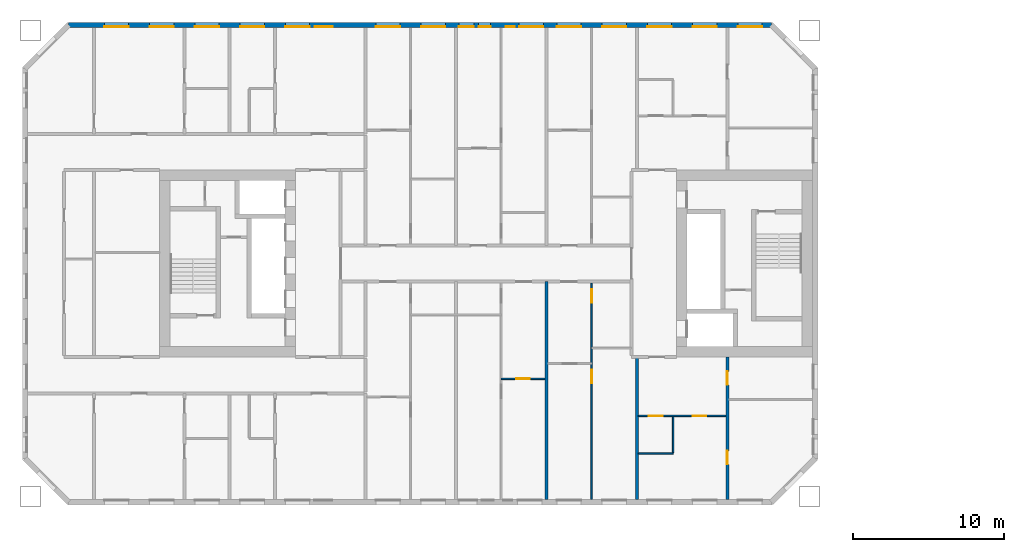
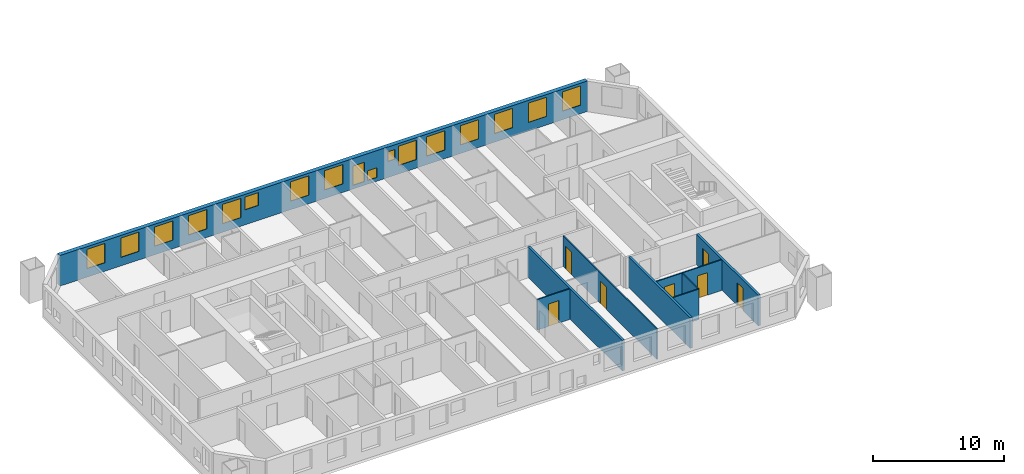
# One storey, part 6 of 17: 17 windows, 9 walls, 7 doors, 24 openings.
"""IFC4 building model written with IfcOpenShell, lengths in metres."""

from ifc_helpers import new_model, si_unit, direction, frame, frame_2d, origin, place, context, subcontext, project, spatial, rectangle, extrude, material, layer, layer_set, type_object, element, fill, save


model = new_model("IFC4")

# Units and contexts
model_context = context("Model", 3, precision=1e-05, world=origin(), true_north=direction((0.0, 1.0)))
body_context = subcontext(model_context, "Body", "Model", "MODEL_VIEW")
ifc_project = project(units=[si_unit("LENGTHUNIT", "METRE"), si_unit("AREAUNIT", "SQUARE_METRE"), si_unit("VOLUMEUNIT", "CUBIC_METRE"), si_unit("PLANEANGLEUNIT", "RADIAN"), si_unit("MASSUNIT", "GRAM", prefix="KILO")], contexts=[model_context])

# Site, building, storey
site_placement = place(None, origin())
site = spatial("IfcSite", under=ifc_project, at=site_placement, CompositionType="ELEMENT")
building_placement = place(site_placement, origin())
building = spatial("IfcBuilding", under=site, at=building_placement, Name="Tuart Gate Housing", CompositionType="ELEMENT")
storey_placement = place(building_placement, frame((0.0, 0.0, 84.0)))
storey = spatial("IfcBuildingStorey", under=building, at=storey_placement, Name="L23", CompositionType="ELEMENT", Elevation=84.0)

# Wall, openings, windows
ifc_material_1 = material(Name="Brick", Category="masonry")
ifc_layer_1 = layer(ifc_material_1, 0.360107421875)
ifc_layer_set_1 = layer_set([ifc_layer_1], Name="Brick pier and spandrel wall 360")
wall_type_1 = type_object("IfcWallType", Name="Brick pier and spandrel wall 360", PredefinedType="STANDARD", material=ifc_layer_set_1)
wall_1_placement = place(storey_placement, frame((72.92529296875, 85.820068359375, 0.0), z_axis=(0.0, 0.0, 1.0), x_axis=(-1.0, 0.0, 0.0)))
wall_1 = element("IfcWall", 1, at=wall_1_placement, inside=storey, type_object=wall_type_1, Name="External wall A-N L23", PredefinedType="STANDARD", context=body_context, shape_type="SweptSolid", body=[
    extrude(rectangle(XDim=46.600830078125, YDim=0.360107421875, at=frame_2d((23.30029296875, 0.0))), origin(), (0.0, 0.0, 1.0), 2.85009765625),
])
opening_1_placement = place(wall_1_placement, frame((0.62548828125, 0.0, 0.800048828125)))
opening_1 = element("IfcOpeningElement", 2, at=opening_1_placement, cuts=wall_1, Name="Opening W1", PredefinedType="OPENING", context=body_context, shape_type="SweptSolid", body=[
    extrude(rectangle(XDim=1.60009765625, YDim=1.800048828125, at=frame_2d((0.800048828125, 0.89990234375))), frame((0.0, 0.18994140625, 0.0), z_axis=(0.0, -1.0, 0.0), x_axis=(1.0, 0.0, 0.0)), (0.0, 0.0, 1.0), 0.380126953125),
])
opening_2_placement = place(wall_1_placement, frame((3.62548828125, 0.0, 0.800048828125)))
opening_2 = element("IfcOpeningElement", 3, at=opening_2_placement, cuts=wall_1, Name="Opening W1", PredefinedType="OPENING", context=body_context, shape_type="SweptSolid", body=[
    extrude(rectangle(XDim=1.60009765625, YDim=1.800048828125, at=frame_2d((0.800048828125, 0.89990234375))), frame((0.0, 0.18994140625, 0.0), z_axis=(0.0, -1.0, 0.0), x_axis=(1.0, 0.0, 0.0)), (0.0, 0.0, 1.0), 0.380126953125),
])
opening_3_placement = place(wall_1_placement, frame((6.62548828125, 0.0, 0.800048828125)))
opening_3 = element("IfcOpeningElement", 4, at=opening_3_placement, cuts=wall_1, Name="Opening W1", PredefinedType="OPENING", context=body_context, shape_type="SweptSolid", body=[
    extrude(rectangle(XDim=1.60009765625, YDim=1.800048828125, at=frame_2d((0.800048828125, 0.89990234375))), frame((0.0, 0.18994140625, 0.0), z_axis=(0.0, -1.0, 0.0), x_axis=(1.0, 0.0, 0.0)), (0.0, 0.0, 1.0), 0.380126953125),
])
opening_4_placement = place(wall_1_placement, frame((9.62548828125, 0.0, 0.800048828125)))
opening_4 = element("IfcOpeningElement", 5, at=opening_4_placement, cuts=wall_1, Name="Opening W1", PredefinedType="OPENING", context=body_context, shape_type="SweptSolid", body=[
    extrude(rectangle(XDim=1.60009765625, YDim=1.800048828125, at=frame_2d((0.800048828125, 0.89990234375))), frame((0.0, 0.18994140625, 0.0), z_axis=(0.0, -1.0, 0.0), x_axis=(1.0, 0.0, 0.0)), (0.0, 0.0, 1.0), 0.380126953125),
])
opening_5_placement = place(wall_1_placement, frame((12.62548828125, 0.0, 0.800048828125)))
opening_5 = element("IfcOpeningElement", 6, at=opening_5_placement, cuts=wall_1, Name="Opening W1", PredefinedType="OPENING", context=body_context, shape_type="SweptSolid", body=[
    extrude(rectangle(XDim=1.60009765625, YDim=1.800048828125, at=frame_2d((0.800048828125, 0.89990234375))), frame((0.0, 0.18994140625, 0.0), z_axis=(0.0, -1.0, 0.0), x_axis=(1.0, 0.0, 0.0)), (0.0, 0.0, 1.0), 0.380126953125),
])
opening_6_placement = place(wall_1_placement, frame((15.12548828125, 0.0, 0.800048828125)))
opening_6 = element("IfcOpeningElement", 7, at=opening_6_placement, cuts=wall_1, Name="Opening W1", PredefinedType="OPENING", context=body_context, shape_type="SweptSolid", body=[
    extrude(rectangle(XDim=1.60009765625, YDim=1.800048828125, at=frame_2d((0.800048828125, 0.89990234375))), frame((0.0, 0.18994140625, 0.0), z_axis=(0.0, -1.0, 0.0), x_axis=(1.0, 0.0, 0.0)), (0.0, 0.0, 1.0), 0.380126953125),
])
opening_7_placement = place(wall_1_placement, frame((18.62548828125, 0.0, 0.35009765625)))
opening_7 = element("IfcOpeningElement", 8, at=opening_7_placement, cuts=wall_1, Name="Opening W1V", PredefinedType="OPENING", context=body_context, shape_type="SweptSolid", body=[
    extrude(rectangle(XDim=0.800048828125, YDim=0.89990234375, at=frame_2d((0.39990234375, 0.449951171875))), frame((0.0, 0.18994140625, 0.0), z_axis=(0.0, -1.0, 0.0), x_axis=(1.0, 0.0, 0.0)), (0.0, 0.0, 1.0), 0.380126953125),
])
opening_8_placement = place(wall_1_placement, frame((21.62548828125, 0.0, 0.800048828125)))
opening_8 = element("IfcOpeningElement", 9, at=opening_8_placement, cuts=wall_1, Name="Opening W1", PredefinedType="OPENING", context=body_context, shape_type="SweptSolid", body=[
    extrude(rectangle(XDim=1.60009765625, YDim=1.800048828125, at=frame_2d((0.800048828125, 0.89990234375))), frame((0.0, 0.18994140625, 0.0), z_axis=(0.0, -1.0, 0.0), x_axis=(1.0, 0.0, 0.0)), (0.0, 0.0, 1.0), 0.380126953125),
])
opening_9_placement = place(wall_1_placement, frame((24.62548828125, 0.0, 0.800048828125)))
opening_9 = element("IfcOpeningElement", 10, at=opening_9_placement, cuts=wall_1, Name="Opening W1", PredefinedType="OPENING", context=body_context, shape_type="SweptSolid", body=[
    extrude(rectangle(XDim=1.60009765625, YDim=1.800048828125, at=frame_2d((0.800048828125, 0.89990234375))), frame((0.0, 0.18994140625, 0.0), z_axis=(0.0, -1.0, 0.0), x_axis=(1.0, 0.0, 0.0)), (0.0, 0.0, 1.0), 0.380126953125),
])
opening_10_placement = place(wall_1_placement, frame((29.075439453125, 0.0, 1.39990234375)))
opening_10 = element("IfcOpeningElement", 11, at=opening_10_placement, cuts=wall_1, Name="Opening W1N", PredefinedType="OPENING", context=body_context, shape_type="SweptSolid", body=[
    extrude(rectangle(XDim=1.199951171875, YDim=1.199951171875, at=frame_2d((0.60009765625, 0.60009765625))), frame((0.0, 0.18994140625, 0.0), z_axis=(0.0, -1.0, 0.0), x_axis=(1.0, 0.0, 0.0)), (0.0, 0.0, 1.0), 0.380126953125),
])
opening_11_placement = place(wall_1_placement, frame((30.62548828125, 0.0, 0.800048828125)))
opening_11 = element("IfcOpeningElement", 12, at=opening_11_placement, cuts=wall_1, Name="Opening W1", PredefinedType="OPENING", context=body_context, shape_type="SweptSolid", body=[
    extrude(rectangle(XDim=1.60009765625, YDim=1.800048828125, at=frame_2d((0.800048828125, 0.89990234375))), frame((0.0, 0.18994140625, 0.0), z_axis=(0.0, -1.0, 0.0), x_axis=(1.0, 0.0, 0.0)), (0.0, 0.0, 1.0), 0.380126953125),
])
opening_12_placement = place(wall_1_placement, frame((33.62548828125, 0.0, 0.800048828125)))
opening_12 = element("IfcOpeningElement", 13, at=opening_12_placement, cuts=wall_1, Name="Opening W1", PredefinedType="OPENING", context=body_context, shape_type="SweptSolid", body=[
    extrude(rectangle(XDim=1.60009765625, YDim=1.800048828125, at=frame_2d((0.800048828125, 0.89990234375))), frame((0.0, 0.18994140625, 0.0), z_axis=(0.0, -1.0, 0.0), x_axis=(1.0, 0.0, 0.0)), (0.0, 0.0, 1.0), 0.380126953125),
])
opening_13_placement = place(wall_1_placement, frame((36.62548828125, 0.0, 0.800048828125)))
opening_13 = element("IfcOpeningElement", 14, at=opening_13_placement, cuts=wall_1, Name="Opening W1", PredefinedType="OPENING", context=body_context, shape_type="SweptSolid", body=[
    extrude(rectangle(XDim=1.60009765625, YDim=1.800048828125, at=frame_2d((0.800048828125, 0.89990234375))), frame((0.0, 0.18994140625, 0.0), z_axis=(0.0, -1.0, 0.0), x_axis=(1.0, 0.0, 0.0)), (0.0, 0.0, 1.0), 0.380126953125),
])
opening_14_placement = place(wall_1_placement, frame((39.62548828125, 0.0, 0.800048828125)))
opening_14 = element("IfcOpeningElement", 15, at=opening_14_placement, cuts=wall_1, Name="Opening W1", PredefinedType="OPENING", context=body_context, shape_type="SweptSolid", body=[
    extrude(rectangle(XDim=1.60009765625, YDim=1.800048828125, at=frame_2d((0.800048828125, 0.89990234375))), frame((0.0, 0.18994140625, 0.0), z_axis=(0.0, -1.0, 0.0), x_axis=(1.0, 0.0, 0.0)), (0.0, 0.0, 1.0), 0.380126953125),
])
opening_15_placement = place(wall_1_placement, frame((42.62548828125, 0.0, 0.800048828125)))
opening_15 = element("IfcOpeningElement", 16, at=opening_15_placement, cuts=wall_1, Name="Opening W1", PredefinedType="OPENING", context=body_context, shape_type="SweptSolid", body=[
    extrude(rectangle(XDim=1.60009765625, YDim=1.800048828125, at=frame_2d((0.800048828125, 0.89990234375))), frame((0.0, 0.18994140625, 0.0), z_axis=(0.0, -1.0, 0.0), x_axis=(1.0, 0.0, 0.0)), (0.0, 0.0, 1.0), 0.380126953125),
])
opening_16_placement = place(wall_1_placement, frame((17.025390625, 0.0, 1.5)))
opening_16 = element("IfcOpeningElement", 17, at=opening_16_placement, cuts=wall_1, Name="Opening W1W", PredefinedType="OPENING", context=body_context, shape_type="SweptSolid", body=[
    extrude(rectangle(XDim=0.60009765625, YDim=0.89990234375, at=frame_2d((0.300048828125, 0.449951171875))), frame((0.0, 0.18994140625, 0.0), z_axis=(0.0, -1.0, 0.0), x_axis=(1.0, 0.0, 0.0)), (0.0, 0.0, 1.0), 0.380126953125),
])
opening_17_placement = place(wall_1_placement, frame((19.725341796875, 0.0, 0.35009765625)))
opening_17 = element("IfcOpeningElement", 18, at=opening_17_placement, cuts=wall_1, Name="Opening W1C", PredefinedType="OPENING", context=body_context, shape_type="SweptSolid", body=[
    extrude(rectangle(XDim=1.0, YDim=1.800048828125, at=frame_2d((0.5, 0.89990234375))), frame((0.0, 0.18994140625, 0.0), z_axis=(0.0, -1.0, 0.0), x_axis=(1.0, 0.0, 0.0)), (0.0, 0.0, 1.0), 0.380126953125),
])
ifc_material_2 = material(Name="Aluminium frame with clear glass", Category="aluminium")
window_type_1 = type_object("IfcWindowType", Name="Punched window 1000 x 1800", PartitioningType="SINGLE_PANEL", PredefinedType="WINDOW", material=ifc_material_2)
window_1_placement = place(opening_17_placement, origin())
window_1 = element("IfcWindow", 19, at=window_1_placement, inside=storey, type_object=window_type_1, Name="Window W1C", OverallHeight=1.800048828125, OverallWidth=1.0, PartitioningType="SINGLE_PANEL", PredefinedType="WINDOW", context=body_context, shape_type="SweptSolid", body=[
    extrude(rectangle(XDim=1.0, YDim=1.800048828125, at=frame_2d((0.5, 0.89990234375))), frame((0.0, 0.150146484375, 0.0), z_axis=(0.0, -1.0, 0.0), x_axis=(1.0, 0.0, 0.0)), (0.0, 0.0, 1.0), 0.06005859375),
])
fill(opening_17, window_1)
ifc_material_3 = material(Name="Aluminium frame with clear glass", Category="aluminium")
window_type_2 = type_object("IfcWindowType", Name="Punched window 1200 x 1200", PartitioningType="SINGLE_PANEL", PredefinedType="WINDOW", material=ifc_material_3)
window_2_placement = place(opening_10_placement, origin())
window_2 = element("IfcWindow", 20, at=window_2_placement, inside=storey, type_object=window_type_2, Name="Window W1N", OverallHeight=1.199951171875, OverallWidth=1.199951171875, PartitioningType="SINGLE_PANEL", PredefinedType="WINDOW", context=body_context, shape_type="SweptSolid", body=[
    extrude(rectangle(XDim=1.199951171875, YDim=1.199951171875, at=frame_2d((0.60009765625, 0.60009765625))), frame((0.0, 0.150146484375, 0.0), z_axis=(0.0, -1.0, 0.0), x_axis=(1.0, 0.0, 0.0)), (0.0, 0.0, 1.0), 0.06005859375),
])
fill(opening_10, window_2)
ifc_material_4 = material(Name="Aluminium frame with clear glass", Category="aluminium")
window_type_3 = type_object("IfcWindowType", Name="Punched window 1600 x 1800", PartitioningType="SINGLE_PANEL", PredefinedType="WINDOW", material=ifc_material_4)
window_3_placement = place(opening_1_placement, origin())
window_3 = element("IfcWindow", 21, at=window_3_placement, inside=storey, type_object=window_type_3, Name="Window W1", OverallHeight=1.800048828125, OverallWidth=1.60009765625, PartitioningType="SINGLE_PANEL", PredefinedType="WINDOW", context=body_context, shape_type="SweptSolid", body=[
    extrude(rectangle(XDim=1.60009765625, YDim=1.800048828125, at=frame_2d((0.800048828125, 0.89990234375))), frame((0.0, 0.150146484375, 0.0), z_axis=(0.0, -1.0, 0.0), x_axis=(1.0, 0.0, 0.0)), (0.0, 0.0, 1.0), 0.06005859375),
])
fill(opening_1, window_3)
window_4_placement = place(opening_2_placement, origin())
window_4 = element("IfcWindow", 22, at=window_4_placement, inside=storey, type_object=window_type_3, Name="Window W1", OverallHeight=1.800048828125, OverallWidth=1.60009765625, PartitioningType="SINGLE_PANEL", PredefinedType="WINDOW", context=body_context, shape_type="SweptSolid", body=[
    extrude(rectangle(XDim=1.60009765625, YDim=1.800048828125, at=frame_2d((0.800048828125, 0.89990234375))), frame((0.0, 0.150146484375, 0.0), z_axis=(0.0, -1.0, 0.0), x_axis=(1.0, 0.0, 0.0)), (0.0, 0.0, 1.0), 0.06005859375),
])
fill(opening_2, window_4)
window_5_placement = place(opening_3_placement, origin())
window_5 = element("IfcWindow", 23, at=window_5_placement, inside=storey, type_object=window_type_3, Name="Window W1", OverallHeight=1.800048828125, OverallWidth=1.60009765625, PartitioningType="SINGLE_PANEL", PredefinedType="WINDOW", context=body_context, shape_type="SweptSolid", body=[
    extrude(rectangle(XDim=1.60009765625, YDim=1.800048828125, at=frame_2d((0.800048828125, 0.89990234375))), frame((0.0, 0.150146484375, 0.0), z_axis=(0.0, -1.0, 0.0), x_axis=(1.0, 0.0, 0.0)), (0.0, 0.0, 1.0), 0.06005859375),
])
fill(opening_3, window_5)
window_6_placement = place(opening_4_placement, origin())
window_6 = element("IfcWindow", 24, at=window_6_placement, inside=storey, type_object=window_type_3, Name="Window W1", OverallHeight=1.800048828125, OverallWidth=1.60009765625, PartitioningType="SINGLE_PANEL", PredefinedType="WINDOW", context=body_context, shape_type="SweptSolid", body=[
    extrude(rectangle(XDim=1.60009765625, YDim=1.800048828125, at=frame_2d((0.800048828125, 0.89990234375))), frame((0.0, 0.150146484375, 0.0), z_axis=(0.0, -1.0, 0.0), x_axis=(1.0, 0.0, 0.0)), (0.0, 0.0, 1.0), 0.06005859375),
])
fill(opening_4, window_6)
window_7_placement = place(opening_5_placement, origin())
window_7 = element("IfcWindow", 25, at=window_7_placement, inside=storey, type_object=window_type_3, Name="Window W1", OverallHeight=1.800048828125, OverallWidth=1.60009765625, PartitioningType="SINGLE_PANEL", PredefinedType="WINDOW", context=body_context, shape_type="SweptSolid", body=[
    extrude(rectangle(XDim=1.60009765625, YDim=1.800048828125, at=frame_2d((0.800048828125, 0.89990234375))), frame((0.0, 0.150146484375, 0.0), z_axis=(0.0, -1.0, 0.0), x_axis=(1.0, 0.0, 0.0)), (0.0, 0.0, 1.0), 0.06005859375),
])
fill(opening_5, window_7)
window_8_placement = place(opening_6_placement, origin())
window_8 = element("IfcWindow", 26, at=window_8_placement, inside=storey, type_object=window_type_3, Name="Window W1", OverallHeight=1.800048828125, OverallWidth=1.60009765625, PartitioningType="SINGLE_PANEL", PredefinedType="WINDOW", context=body_context, shape_type="SweptSolid", body=[
    extrude(rectangle(XDim=1.60009765625, YDim=1.800048828125, at=frame_2d((0.800048828125, 0.89990234375))), frame((0.0, 0.150146484375, 0.0), z_axis=(0.0, -1.0, 0.0), x_axis=(1.0, 0.0, 0.0)), (0.0, 0.0, 1.0), 0.06005859375),
])
fill(opening_6, window_8)
window_9_placement = place(opening_8_placement, origin())
window_9 = element("IfcWindow", 27, at=window_9_placement, inside=storey, type_object=window_type_3, Name="Window W1", OverallHeight=1.800048828125, OverallWidth=1.60009765625, PartitioningType="SINGLE_PANEL", PredefinedType="WINDOW", context=body_context, shape_type="SweptSolid", body=[
    extrude(rectangle(XDim=1.60009765625, YDim=1.800048828125, at=frame_2d((0.800048828125, 0.89990234375))), frame((0.0, 0.150146484375, 0.0), z_axis=(0.0, -1.0, 0.0), x_axis=(1.0, 0.0, 0.0)), (0.0, 0.0, 1.0), 0.06005859375),
])
fill(opening_8, window_9)
window_10_placement = place(opening_9_placement, origin())
window_10 = element("IfcWindow", 28, at=window_10_placement, inside=storey, type_object=window_type_3, Name="Window W1", OverallHeight=1.800048828125, OverallWidth=1.60009765625, PartitioningType="SINGLE_PANEL", PredefinedType="WINDOW", context=body_context, shape_type="SweptSolid", body=[
    extrude(rectangle(XDim=1.60009765625, YDim=1.800048828125, at=frame_2d((0.800048828125, 0.89990234375))), frame((0.0, 0.150146484375, 0.0), z_axis=(0.0, -1.0, 0.0), x_axis=(1.0, 0.0, 0.0)), (0.0, 0.0, 1.0), 0.06005859375),
])
fill(opening_9, window_10)
window_11_placement = place(opening_11_placement, origin())
window_11 = element("IfcWindow", 29, at=window_11_placement, inside=storey, type_object=window_type_3, Name="Window W1", OverallHeight=1.800048828125, OverallWidth=1.60009765625, PartitioningType="SINGLE_PANEL", PredefinedType="WINDOW", context=body_context, shape_type="SweptSolid", body=[
    extrude(rectangle(XDim=1.60009765625, YDim=1.800048828125, at=frame_2d((0.800048828125, 0.89990234375))), frame((0.0, 0.150146484375, 0.0), z_axis=(0.0, -1.0, 0.0), x_axis=(1.0, 0.0, 0.0)), (0.0, 0.0, 1.0), 0.06005859375),
])
fill(opening_11, window_11)
window_12_placement = place(opening_12_placement, origin())
window_12 = element("IfcWindow", 30, at=window_12_placement, inside=storey, type_object=window_type_3, Name="Window W1", OverallHeight=1.800048828125, OverallWidth=1.60009765625, PartitioningType="SINGLE_PANEL", PredefinedType="WINDOW", context=body_context, shape_type="SweptSolid", body=[
    extrude(rectangle(XDim=1.60009765625, YDim=1.800048828125, at=frame_2d((0.800048828125, 0.89990234375))), frame((0.0, 0.150146484375, 0.0), z_axis=(0.0, -1.0, 0.0), x_axis=(1.0, 0.0, 0.0)), (0.0, 0.0, 1.0), 0.06005859375),
])
fill(opening_12, window_12)
window_13_placement = place(opening_13_placement, origin())
window_13 = element("IfcWindow", 31, at=window_13_placement, inside=storey, type_object=window_type_3, Name="Window W1", OverallHeight=1.800048828125, OverallWidth=1.60009765625, PartitioningType="SINGLE_PANEL", PredefinedType="WINDOW", context=body_context, shape_type="SweptSolid", body=[
    extrude(rectangle(XDim=1.60009765625, YDim=1.800048828125, at=frame_2d((0.800048828125, 0.89990234375))), frame((0.0, 0.150146484375, 0.0), z_axis=(0.0, -1.0, 0.0), x_axis=(1.0, 0.0, 0.0)), (0.0, 0.0, 1.0), 0.06005859375),
])
fill(opening_13, window_13)
window_14_placement = place(opening_14_placement, origin())
window_14 = element("IfcWindow", 32, at=window_14_placement, inside=storey, type_object=window_type_3, Name="Window W1", OverallHeight=1.800048828125, OverallWidth=1.60009765625, PartitioningType="SINGLE_PANEL", PredefinedType="WINDOW", context=body_context, shape_type="SweptSolid", body=[
    extrude(rectangle(XDim=1.60009765625, YDim=1.800048828125, at=frame_2d((0.800048828125, 0.89990234375))), frame((0.0, 0.150146484375, 0.0), z_axis=(0.0, -1.0, 0.0), x_axis=(1.0, 0.0, 0.0)), (0.0, 0.0, 1.0), 0.06005859375),
])
fill(opening_14, window_14)
window_15_placement = place(opening_15_placement, origin())
window_15 = element("IfcWindow", 33, at=window_15_placement, inside=storey, type_object=window_type_3, Name="Window W1", OverallHeight=1.800048828125, OverallWidth=1.60009765625, PartitioningType="SINGLE_PANEL", PredefinedType="WINDOW", context=body_context, shape_type="SweptSolid", body=[
    extrude(rectangle(XDim=1.60009765625, YDim=1.800048828125, at=frame_2d((0.800048828125, 0.89990234375))), frame((0.0, 0.150146484375, 0.0), z_axis=(0.0, -1.0, 0.0), x_axis=(1.0, 0.0, 0.0)), (0.0, 0.0, 1.0), 0.06005859375),
])
fill(opening_15, window_15)
ifc_material_5 = material(Name="Aluminium frame with clear glass", Category="aluminium")
window_type_4 = type_object("IfcWindowType", Name="Punched window 600 x 900", PartitioningType="SINGLE_PANEL", PredefinedType="WINDOW", material=ifc_material_5)
window_16_placement = place(opening_16_placement, origin())
window_16 = element("IfcWindow", 34, at=window_16_placement, inside=storey, type_object=window_type_4, Name="Window W1W", OverallHeight=0.89990234375, OverallWidth=0.60009765625, PartitioningType="SINGLE_PANEL", PredefinedType="WINDOW", context=body_context, shape_type="SweptSolid", body=[
    extrude(rectangle(XDim=0.60009765625, YDim=0.89990234375, at=frame_2d((0.300048828125, 0.449951171875))), frame((0.0, 0.150146484375, 0.0), z_axis=(0.0, -1.0, 0.0), x_axis=(1.0, 0.0, 0.0)), (0.0, 0.0, 1.0), 0.06005859375),
])
fill(opening_16, window_16)
ifc_material_6 = material(Name="Aluminium frame with clear glass", Category="aluminium")
window_type_5 = type_object("IfcWindowType", Name="Punched window 800 x 900", PartitioningType="SINGLE_PANEL", PredefinedType="WINDOW", material=ifc_material_6)
window_17_placement = place(opening_7_placement, origin())
window_17 = element("IfcWindow", 35, at=window_17_placement, inside=storey, type_object=window_type_5, Name="Window W1V", OverallHeight=0.89990234375, OverallWidth=0.800048828125, PartitioningType="SINGLE_PANEL", PredefinedType="WINDOW", context=body_context, shape_type="SweptSolid", body=[
    extrude(rectangle(XDim=0.800048828125, YDim=0.89990234375, at=frame_2d((0.39990234375, 0.449951171875))), frame((0.0, 0.150146484375, 0.0), z_axis=(0.0, -1.0, 0.0), x_axis=(1.0, 0.0, 0.0)), (0.0, 0.0, 1.0), 0.06005859375),
])
fill(opening_7, window_17)

# Wall
ifc_material_7 = material(Name="Gypsum board on steel studs", Category="steel")
ifc_layer_2 = layer(ifc_material_7, 0.10009765625)
ifc_layer_set_2 = layer_set([ifc_layer_2], Name="Partition 100")
wall_type_2 = type_object("IfcWallType", Name="Partition 100", PredefinedType="PARTITIONING", material=ifc_layer_set_2)
wall_2_placement = place(storey_placement, frame((64.10009765625, 57.39990234375, 0.0), z_axis=(0.0, 0.0, 1.0), x_axis=(1.0, 0.0, 0.0)))
element("IfcWall", 36, at=wall_2_placement, inside=storey, type_object=wall_type_2, Name="Partition 100", PredefinedType="PARTITIONING", context=body_context, shape_type="SweptSolid", body=[
    extrude(rectangle(XDim=2.2998046875, YDim=0.10009765625, at=frame_2d((1.14990234375, 0.0))), origin(), (0.0, 0.0, 1.0), 2.85009765625),
])

# Wall, openings, doors
wall_3_placement = place(storey_placement, frame((64.10009765625, 59.89990234375, 0.0), z_axis=(0.0, 0.0, 1.0), x_axis=(1.0, 0.0, 0.0)))
wall_3 = element("IfcWall", 37, at=wall_3_placement, inside=storey, type_object=wall_type_2, Name="Partition 100", PredefinedType="PARTITIONING", context=body_context, shape_type="SweptSolid", body=[
    extrude(rectangle(XDim=5.7998046875, YDim=0.10009765625, at=frame_2d((2.89990234375, 0.0))), origin(), (0.0, 0.0, 1.0), 2.85009765625),
])
opening_18_placement = place(wall_3_placement, frame((3.60009765625, 0.0, 0.0)))
opening_18 = element("IfcOpeningElement", 38, at=opening_18_placement, cuts=wall_3, Name="Opening D1005", PredefinedType="OPENING", context=body_context, shape_type="SweptSolid", body=[
    extrude(rectangle(XDim=0.89990234375, YDim=2.10009765625, at=frame_2d((0.449951171875, 1.050048828125))), frame((0.0, 0.06005859375, 0.0), z_axis=(0.0, -1.0, 0.0), x_axis=(1.0, 0.0, 0.0)), (0.0, 0.0, 1.0), 0.1201171875),
])
opening_19_placement = place(wall_3_placement, frame((0.699951171875, 0.0, 0.0)))
opening_19 = element("IfcOpeningElement", 39, at=opening_19_placement, cuts=wall_3, Name="Opening D1004", PredefinedType="OPENING", context=body_context, shape_type="SweptSolid", body=[
    extrude(rectangle(XDim=0.89990234375, YDim=2.10009765625, at=frame_2d((0.449951171875, 1.050048828125))), frame((0.0, 0.06005859375, 0.0), z_axis=(0.0, -1.0, 0.0), x_axis=(1.0, 0.0, 0.0)), (0.0, 0.0, 1.0), 0.1201171875),
])
ifc_material_8 = material(Name="Timber door leaf in steel frame", Category="steel")
door_type_1 = type_object("IfcDoorType", Name="Bathroom door 900", OperationType="SINGLE_SWING_LEFT", PredefinedType="DOOR", material=ifc_material_8)
door_1_placement = place(opening_19_placement, frame((0.89990234375, 0.0, 0.0), z_axis=(0.0, 0.0, 1.0), x_axis=(-1.0, 0.0, 0.0)))
door_1 = element("IfcDoor", 40, at=door_1_placement, inside=storey, type_object=door_type_1, Name="Bathroom door", OperationType="SINGLE_SWING_LEFT", OverallHeight=2.10009765625, OverallWidth=0.89990234375, PredefinedType="DOOR", context=body_context, shape_type="SweptSolid", body=[
    extrude(rectangle(XDim=0.89990234375, YDim=2.10009765625, at=frame_2d((0.449951171875, 1.050048828125))), frame((0.0, 0.025146484375, 0.0), z_axis=(0.0, -1.0, 0.0), x_axis=(1.0, 0.0, 0.0)), (0.0, 0.0, 1.0), 0.050048828125),
])
fill(opening_19, door_1)
ifc_material_9 = material(Name="Timber door leaf in steel frame", Category="steel")
door_type_2 = type_object("IfcDoorType", Name="Internal door 900 RH", OperationType="SINGLE_SWING_RIGHT", PredefinedType="DOOR", material=ifc_material_9)
door_2_placement = place(opening_18_placement, origin())
door_2 = element("IfcDoor", 41, at=door_2_placement, inside=storey, type_object=door_type_2, Name="Internal door", OperationType="SINGLE_SWING_RIGHT", OverallHeight=2.10009765625, OverallWidth=0.89990234375, PredefinedType="DOOR", context=body_context, shape_type="SweptSolid", body=[
    extrude(rectangle(XDim=0.89990234375, YDim=2.10009765625, at=frame_2d((0.449951171875, 1.050048828125))), frame((0.0, 0.02490234375, 0.0), z_axis=(0.0, -1.0, 0.0), x_axis=(1.0, 0.0, 0.0)), (0.0, 0.0, 1.0), 0.050048828125),
])
fill(opening_18, door_2)

# Wall, opening, door
wall_4_placement = place(storey_placement, frame((55.0, 62.360107421875, 0.0), z_axis=(0.0, 0.0, 1.0), x_axis=(1.0, 0.0, 0.0)))
wall_4 = element("IfcWall", 42, at=wall_4_placement, inside=storey, type_object=wall_type_2, Name="Partition 100", PredefinedType="PARTITIONING", context=body_context, shape_type="SweptSolid", body=[
    extrude(rectangle(XDim=2.89990234375, YDim=0.10009765625, at=frame_2d((1.449951171875, 0.0))), origin(), (0.0, 0.0, 1.0), 2.85009765625),
])
opening_20_placement = place(wall_4_placement, frame((1.0, 0.0, 0.0)))
opening_20 = element("IfcOpeningElement", 43, at=opening_20_placement, cuts=wall_4, Name="Opening D994", PredefinedType="OPENING", context=body_context, shape_type="SweptSolid", body=[
    extrude(rectangle(XDim=0.89990234375, YDim=2.10009765625, at=frame_2d((0.449951171875, 1.050048828125))), frame((0.0, 0.06005859375, 0.0), z_axis=(0.0, -1.0, 0.0), x_axis=(1.0, 0.0, 0.0)), (0.0, 0.0, 1.0), 0.1201171875),
])
ifc_material_10 = material(Name="Timber door leaf in steel frame", Category="steel")
door_type_3 = type_object("IfcDoorType", Name="Internal door 900", OperationType="SINGLE_SWING_LEFT", PredefinedType="DOOR", material=ifc_material_10)
door_3_placement = place(opening_20_placement, origin())
door_3 = element("IfcDoor", 44, at=door_3_placement, inside=storey, type_object=door_type_3, Name="Internal door", OperationType="SINGLE_SWING_LEFT", OverallHeight=2.10009765625, OverallWidth=0.89990234375, PredefinedType="DOOR", context=body_context, shape_type="SweptSolid", body=[
    extrude(rectangle(XDim=0.89990234375, YDim=2.10009765625, at=frame_2d((0.449951171875, 1.050048828125))), frame((0.0, 0.02490234375, 0.0), z_axis=(0.0, -1.0, 0.0), x_axis=(1.0, 0.0, 0.0)), (0.0, 0.0, 1.0), 0.050048828125),
])
fill(opening_20, door_3)

# Wall, openings, doors
wall_5_placement = place(storey_placement, frame((61.0, 54.360107421875, 0.0), z_axis=(0.0, 0.0, 1.0), x_axis=(0.0, 1.0, 0.0)))
wall_5 = element("IfcWall", 45, at=wall_5_placement, inside=storey, type_object=wall_type_2, Name="Partition 100", PredefinedType="PARTITIONING", context=body_context, shape_type="SweptSolid", body=[
    extrude(rectangle(XDim=14.33984375, YDim=0.10009765625, at=frame_2d((7.169921875, 0.0))), origin(), (0.0, 0.0, 1.0), 2.85009765625),
])
opening_21_placement = place(wall_5_placement, frame((7.699951171875, 0.0, 0.0)))
opening_21 = element("IfcOpeningElement", 46, at=opening_21_placement, cuts=wall_5, Name="Opening D1000", PredefinedType="OPENING", context=body_context, shape_type="SweptSolid", body=[
    extrude(rectangle(XDim=0.89990234375, YDim=2.10009765625, at=frame_2d((0.449951171875, 1.050048828125))), frame((0.0, 0.06005859375, 0.0), z_axis=(0.0, -1.0, 0.0), x_axis=(1.0, 0.0, 0.0)), (0.0, 0.0, 1.0), 0.1201171875),
])
opening_22_placement = place(wall_5_placement, frame((13.0400390625, 0.0, 0.0)))
opening_22 = element("IfcOpeningElement", 47, at=opening_22_placement, cuts=wall_5, Name="Opening D999", PredefinedType="OPENING", context=body_context, shape_type="SweptSolid", body=[
    extrude(rectangle(XDim=0.89990234375, YDim=2.10009765625, at=frame_2d((0.449951171875, 1.050048828125))), frame((0.0, 0.06005859375, 0.0), z_axis=(0.0, -1.0, 0.0), x_axis=(1.0, 0.0, 0.0)), (0.0, 0.0, 1.0), 0.1201171875),
])
door_4_placement = place(opening_22_placement, frame((0.89990234375, 0.0, 0.0), z_axis=(0.0, 0.0, 1.0), x_axis=(-1.0, 0.0, 0.0)))
door_4 = element("IfcDoor", 48, at=door_4_placement, inside=storey, type_object=door_type_1, Name="Bathroom door", OperationType="SINGLE_SWING_LEFT", OverallHeight=2.10009765625, OverallWidth=0.89990234375, PredefinedType="DOOR", context=body_context, shape_type="SweptSolid", body=[
    extrude(rectangle(XDim=0.89990234375, YDim=2.10009765625, at=frame_2d((0.449951171875, 1.050048828125))), frame((0.0, 0.025146484375, 0.0), z_axis=(0.0, -1.0, 0.0), x_axis=(1.0, 0.0, 0.0)), (0.0, 0.0, 1.0), 0.050048828125),
])
fill(opening_22, door_4)
door_5_placement = place(opening_21_placement, frame((0.89990234375, 0.0, 0.0), z_axis=(0.0, 0.0, 1.0), x_axis=(-1.0, 0.0, 0.0)))
door_5 = element("IfcDoor", 49, at=door_5_placement, inside=storey, type_object=door_type_3, Name="Internal door", OperationType="SINGLE_SWING_LEFT", OverallHeight=2.10009765625, OverallWidth=0.89990234375, PredefinedType="DOOR", context=body_context, shape_type="SweptSolid", body=[
    extrude(rectangle(XDim=0.89990234375, YDim=2.10009765625, at=frame_2d((0.449951171875, 1.050048828125))), frame((0.0, 0.025146484375, 0.0), z_axis=(0.0, -1.0, 0.0), x_axis=(1.0, 0.0, 0.0)), (0.0, 0.0, 1.0), 0.050048828125),
])
fill(opening_21, door_5)

# Walls
wall_6_placement = place(storey_placement, frame((66.39990234375, 57.449951171875, 0.0), z_axis=(0.0, 0.0, 1.0), x_axis=(0.0, 1.0, 0.0)))
element("IfcWall", 50, at=wall_6_placement, inside=storey, type_object=wall_type_2, Name="Partition 100", PredefinedType="PARTITIONING", context=body_context, shape_type="SweptSolid", body=[
    extrude(rectangle(XDim=2.400146484375, YDim=0.10009765625, at=frame_2d((1.2001953125, 0.0))), origin(), (0.0, 0.0, 1.0), 2.85009765625),
])
ifc_material_11 = material(Name="Concrete C40", Category="concrete")
ifc_layer_3 = layer(ifc_material_11, 0.199951171875)
ifc_layer_set_3 = layer_set([ifc_layer_3], Name="Party wall concrete C40 200")
wall_type_3 = type_object("IfcWallType", Name="Party wall concrete C40 200", PredefinedType="SOLIDWALL", material=ifc_layer_set_3)
wall_7_placement = place(storey_placement, frame((58.0, 54.360107421875, 0.0), z_axis=(0.0, 0.0, 1.0), x_axis=(0.0, 1.0, 0.0)))
element("IfcWall", 51, at=wall_7_placement, inside=storey, type_object=wall_type_3, Name="Party wall concrete C40 200", PredefinedType="SOLIDWALL", context=body_context, shape_type="SweptSolid", body=[
    extrude(rectangle(XDim=14.43994140625, YDim=0.199951171875, at=frame_2d((7.219970703125, 0.0))), origin(), (0.0, 0.0, 1.0), 2.85009765625),
])
wall_8_placement = place(storey_placement, frame((64.0, 54.360107421875, 0.0), z_axis=(0.0, 0.0, 1.0), x_axis=(0.0, 1.0, 0.0)))
element("IfcWall", 52, at=wall_8_placement, inside=storey, type_object=wall_type_3, Name="Party wall concrete C40 200", PredefinedType="SOLIDWALL", context=body_context, shape_type="SweptSolid", body=[
    extrude(rectangle(XDim=9.43994140625, YDim=0.199951171875, at=frame_2d((4.719970703125, 0.0))), origin(), (0.0, 0.0, 1.0), 2.85009765625),
])

# Wall, openings, doors
wall_9_placement = place(storey_placement, frame((70.0, 54.360107421875, 0.0), z_axis=(0.0, 0.0, 1.0), x_axis=(0.0, 1.0, 0.0)))
wall_9 = element("IfcWall", 53, at=wall_9_placement, inside=storey, type_object=wall_type_3, Name="Party wall concrete C40 200", PredefinedType="SOLIDWALL", context=body_context, shape_type="SweptSolid", body=[
    extrude(rectangle(XDim=9.43994140625, YDim=0.199951171875, at=frame_2d((4.719970703125, 0.0))), origin(), (0.0, 0.0, 1.0), 2.85009765625),
])
opening_23_placement = place(wall_9_placement, frame((2.320068359375, 0.0, 0.0)))
opening_23 = element("IfcOpeningElement", 54, at=opening_23_placement, cuts=wall_9, Name="Opening D1006", PredefinedType="OPENING", context=body_context, shape_type="SweptSolid", body=[
    extrude(rectangle(XDim=0.89990234375, YDim=2.10009765625, at=frame_2d((0.449951171875, 1.050048828125))), frame((0.0, 0.10986328125, 0.0), z_axis=(0.0, -1.0, 0.0), x_axis=(1.0, 0.0, 0.0)), (0.0, 0.0, 1.0), 0.219970703125),
])
opening_24_placement = place(wall_9_placement, frame((7.590087890625, 0.0, 0.0)))
opening_24 = element("IfcOpeningElement", 55, at=opening_24_placement, cuts=wall_9, Name="Opening D1007", PredefinedType="OPENING", context=body_context, shape_type="SweptSolid", body=[
    extrude(rectangle(XDim=0.89990234375, YDim=2.10009765625, at=frame_2d((0.449951171875, 1.050048828125))), frame((0.0, 0.10986328125, 0.0), z_axis=(0.0, -1.0, 0.0), x_axis=(1.0, 0.0, 0.0)), (0.0, 0.0, 1.0), 0.219970703125),
])
door_6_placement = place(opening_23_placement, frame((0.89990234375, 0.0, 0.0), z_axis=(0.0, 0.0, 1.0), x_axis=(-1.0, 0.0, 0.0)))
door_6 = element("IfcDoor", 56, at=door_6_placement, inside=storey, type_object=door_type_2, Name="Internal door", OperationType="SINGLE_SWING_RIGHT", OverallHeight=2.10009765625, OverallWidth=0.89990234375, PredefinedType="DOOR", context=body_context, shape_type="SweptSolid", body=[
    extrude(rectangle(XDim=0.89990234375, YDim=2.10009765625, at=frame_2d((0.449951171875, 1.050048828125))), frame((0.0, 0.025146484375, 0.0), z_axis=(0.0, -1.0, 0.0), x_axis=(1.0, 0.0, 0.0)), (0.0, 0.0, 1.0), 0.050048828125),
])
fill(opening_23, door_6)
door_7_placement = place(opening_24_placement, frame((0.89990234375, 0.0, 0.0), z_axis=(0.0, 0.0, 1.0), x_axis=(-1.0, 0.0, 0.0)))
door_7 = element("IfcDoor", 57, at=door_7_placement, inside=storey, type_object=door_type_2, Name="Internal door", OperationType="SINGLE_SWING_RIGHT", OverallHeight=2.10009765625, OverallWidth=0.89990234375, PredefinedType="DOOR", context=body_context, shape_type="SweptSolid", body=[
    extrude(rectangle(XDim=0.89990234375, YDim=2.10009765625, at=frame_2d((0.449951171875, 1.050048828125))), frame((0.0, 0.025146484375, 0.0), z_axis=(0.0, -1.0, 0.0), x_axis=(1.0, 0.0, 0.0)), (0.0, 0.0, 1.0), 0.050048828125),
])
fill(opening_24, door_7)

save(model, "model.ifc")
